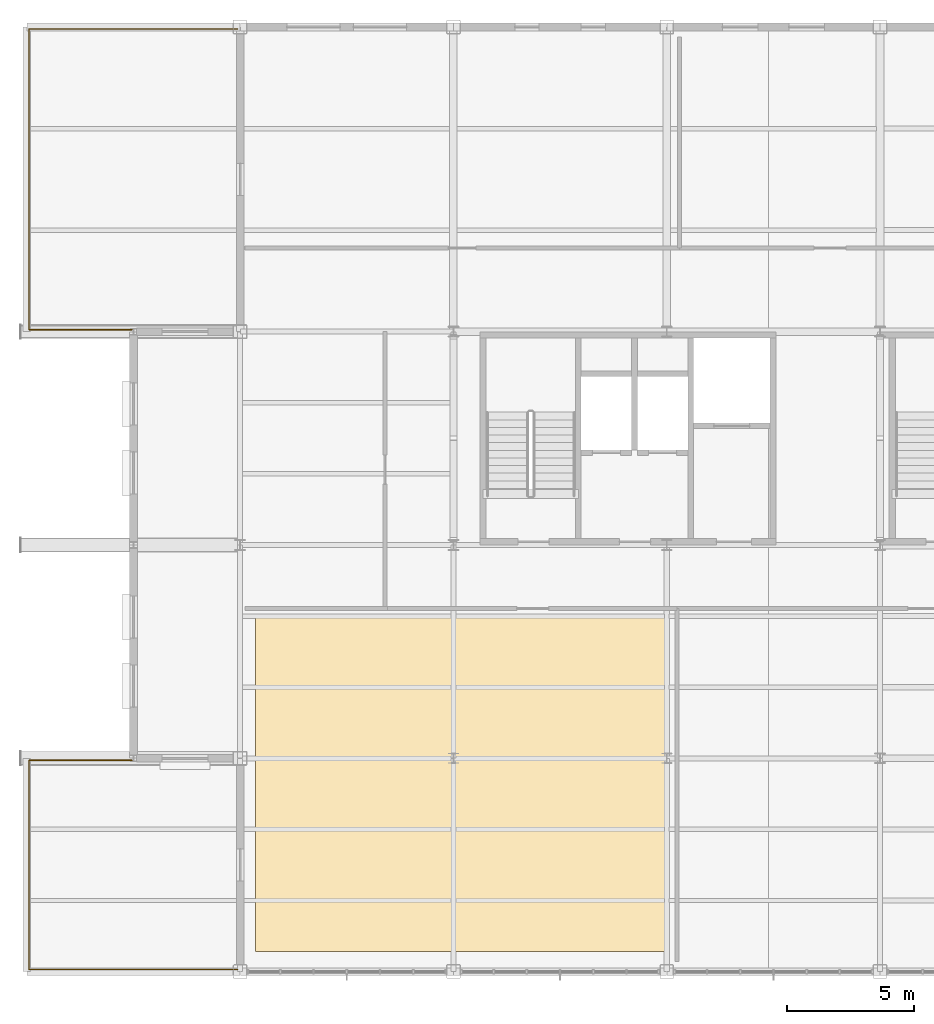
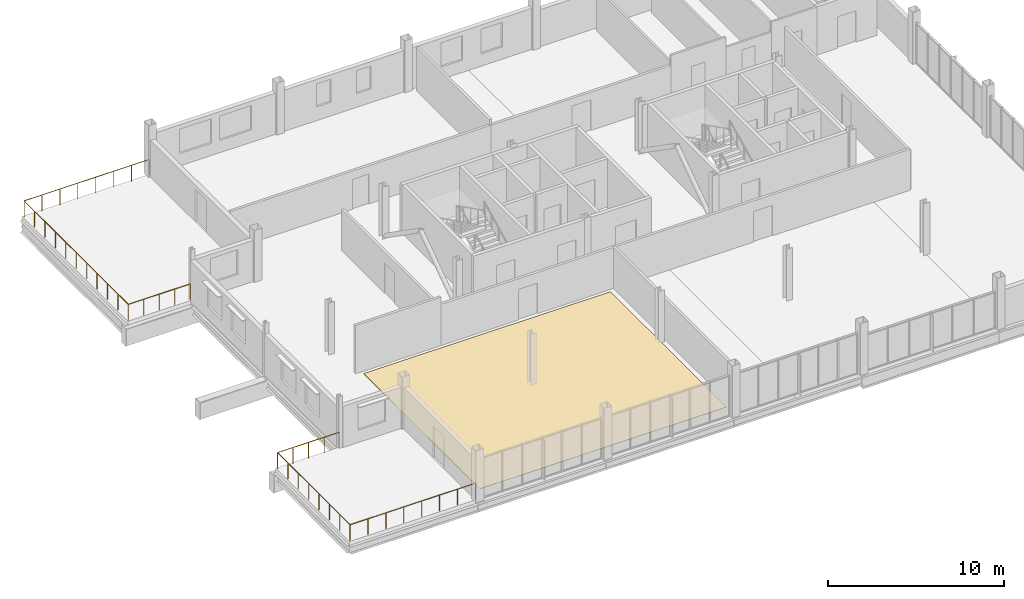
# One storey, part 16 of 18: 2 railings, 1 covering.
"""IFC4 building model written with IfcOpenShell, lengths in metres."""

import ifcopenshell
import ifcopenshell.guid

model = None  # the IFC model being written
_history = None  # IfcOwnerHistory: only IFC2X3 demands one
_inside = {}  # id of a spatial element -> (the spatial element, [elements in it])
_under = {}  # id of a project, library or spatial element -> (it, [spatial elements below it])
_declared = {}  # id of a project -> (the project, [libraries it declares])
_typed = {}  # id of a type object -> (the type object, [elements of that type])
_made_of = {}  # id of a material, layer set ... -> (it, [elements and type objects made of it])


def new_model(schema):
    """Start an empty IFC model of exactly this schema.

    Asked for "IFC4X3", IfcOpenShell would pick the latest addendum, in which some entities
    have other attributes; the version numbers below select the first issue.
    IFC2X3 requires an IfcOwnerHistory on every rooted entity: one is made here for all.
    """
    global model, _history
    if schema == "IFC4X3":
        model = ifcopenshell.file(schema_version=(4, 3, 0, 0))
    else:
        model = ifcopenshell.file(schema=schema)
    _inside.clear()
    _under.clear()
    _declared.clear()
    _typed.clear()
    _made_of.clear()
    _history = None
    if model.schema == "IFC2X3":
        org = make("IfcOrganization", Name="unknown")
        user = make(
            "IfcPersonAndOrganization",
            ThePerson=make("IfcPerson", FamilyName="unknown"),
            TheOrganization=org,
        )
        app = make(
            "IfcApplication",
            ApplicationDeveloper=org,
            Version="unknown",
            ApplicationFullName="unknown",
            ApplicationIdentifier="unknown",
        )
        _history = make(
            "IfcOwnerHistory",
            OwningUser=user,
            OwningApplication=app,
            ChangeAction="ADDED",
            CreationDate=0,
        )
    return model


def make(cls, **values):
    """One entity of the class cls with the attributes given. An attribute that is None is left unset."""
    return model.create_entity(
        cls, **{name: value for name, value in values.items() if value is not None}
    )


def rooted(cls, **values):
    """An entity with a GlobalId (a new one), such as an element, a storey or a relation."""
    return make(cls, GlobalId=ifcopenshell.guid.new(), OwnerHistory=_history, **values)


def si_unit(unit_type, name, prefix=None):
    """IfcSIUnit, for example si_unit("LENGTHUNIT", "METRE", prefix="MILLI")."""
    return make("IfcSIUnit", UnitType=unit_type, Prefix=prefix, Name=name)


def assignment(units):
    """IfcUnitAssignment: the units of a project."""
    return None if units is None else make("IfcUnitAssignment", Units=units)


def point(xyz):
    """IfcCartesianPoint."""
    return None if xyz is None else make("IfcCartesianPoint", Coordinates=xyz)


def direction(xyz):
    """IfcDirection."""
    return None if xyz is None else make("IfcDirection", DirectionRatios=xyz)


def frame(location, z_axis=None, x_axis=None):
    """IfcAxis2Placement3D, a coordinate frame: its origin and axes. An axis left out is left unset."""
    return make(
        "IfcAxis2Placement3D",
        Location=point(location),
        Axis=direction(z_axis),
        RefDirection=direction(x_axis),
    )


def frame_2d(location, x_axis=None):
    """IfcAxis2Placement2D, a coordinate frame in the plane: its origin and x axis."""
    return make(
        "IfcAxis2Placement2D", Location=point(location), RefDirection=direction(x_axis)
    )


def origin():
    """The frame at (0, 0, 0) with its axes left unset."""
    return frame((0.0, 0.0, 0.0))


def origin_2d():
    """The frame at (0, 0) in the plane with its x axis left unset."""
    return frame_2d((0.0, 0.0))


def place(relative_to, where):
    """IfcLocalPlacement: puts the frame where relative to a parent placement (None: the world)."""
    return make(
        "IfcLocalPlacement", PlacementRelTo=relative_to, RelativePlacement=where
    )


def context(
    kind, dimensions, precision=None, world=None, true_north=None, identifier=None
):
    """IfcGeometricRepresentationContext, for example the 3D "Model" context."""
    return make(
        "IfcGeometricRepresentationContext",
        ContextIdentifier=identifier,
        ContextType=kind,
        CoordinateSpaceDimension=dimensions,
        Precision=precision,
        WorldCoordinateSystem=world,
        TrueNorth=true_north,
    )


def subcontext(parent, identifier, kind, view, scale=None):
    """IfcGeometricRepresentationSubContext, for example "Body" below "Model"."""
    return make(
        "IfcGeometricRepresentationSubContext",
        ContextIdentifier=identifier,
        ContextType=kind,
        ParentContext=parent,
        TargetScale=scale,
        TargetView=view,
    )


def project(units=None, contexts=None):
    """IfcProject with its units and contexts."""
    return rooted(
        "IfcProject",
        Name="project",
        RepresentationContexts=contexts,
        UnitsInContext=assignment(units),
    )


def spatial(cls, under=None, at=None, **own):
    """A site, building, storey or space (cls), placed at a placement, below another one or the project."""
    s = rooted(cls, ObjectPlacement=at, **own)
    if under is not None:
        _under.setdefault(under.id(), (under, []))[1].append(s)
    return s


def polyline(points):
    """IfcPolyline through the points."""
    return make("IfcPolyline", Points=[point(p) for p in points])


def profile(cls, at=None, kind="AREA", **sizes):
    """A parametric profile (cls). Its sizes go by their IFC names, for example OverallWidth=200.0."""
    return make(cls, ProfileType=kind, Position=at, **sizes)


def circle(**sizes):
    """IfcCircleProfileDef."""
    return profile("IfcCircleProfileDef", **sizes)


def outline(outer, holes=None, kind="AREA"):
    """IfcArbitraryClosedProfileDef: a profile drawn as a closed curve; with holes, ...WithVoids."""
    if holes is None:
        return make("IfcArbitraryClosedProfileDef", ProfileType=kind, OuterCurve=outer)
    return make(
        "IfcArbitraryProfileDefWithVoids",
        ProfileType=kind,
        OuterCurve=outer,
        InnerCurves=holes,
    )


def extrude(swept, where, along, depth):
    """IfcExtrudedAreaSolid: the profile swept, set in the frame where, extruded along a direction by depth."""
    return make(
        "IfcExtrudedAreaSolid",
        SweptArea=swept,
        Position=where,
        ExtrudedDirection=direction(along),
        Depth=depth,
    )


def shape(context_of_items, identifier, shape_type, items):
    """IfcShapeRepresentation: the items that make up one representation, for example the "Body"."""
    return make(
        "IfcShapeRepresentation",
        ContextOfItems=context_of_items,
        RepresentationIdentifier=identifier,
        RepresentationType=shape_type,
        Items=items,
    )


def material(Name=None, Category=None):
    """IfcMaterial."""
    return make("IfcMaterial", Name=Name, Category=Category)


def layer(
    of_material, thickness, ventilated=None, Name=None, Category=None, Priority=None
):
    """IfcMaterialLayer: one layer of a wall or slab, of a material (None: an air gap)."""
    return make(
        "IfcMaterialLayer",
        Material=of_material,
        LayerThickness=thickness,
        IsVentilated=ventilated,
        Name=Name,
        Category=Category,
        Priority=Priority,
    )


def layer_set(layers, Name=None):
    """IfcMaterialLayerSet."""
    return make("IfcMaterialLayerSet", MaterialLayers=layers, LayerSetName=Name)


def made_of(thing, what):
    """Note that an element or type object is made of a material, layer set ...; save() writes the relation."""
    if what is not None:
        _made_of.setdefault(what.id(), (what, []))[1].append(thing)
    return thing


def type_object(cls, material=None, **own):
    """A type object (cls), such as IfcWallType, which elements share."""
    return made_of(rooted(cls, **own), material)


def element(
    cls,
    number,
    at=None,
    inside=None,
    cuts=None,
    type_object=None,
    material=None,
    context=None,
    identifier="Body",
    shape_type=None,
    held_by="IfcProductDefinitionShape",
    body=None,
    shapes=None,
    **own,
):
    """One element of the class cls, such as IfcWall. Its Tag is "e" and its number.

    at: its placement. inside: the storey or other place that contains it. cuts: it is an
    opening in that element (IfcRelVoidsElement). A single representation is given by context,
    identifier, shape_type and body (its items); several are given by shapes. held_by: the class
    of the entity that holds the representations. save() writes the other relations.
    """
    e = rooted(cls, Tag="e%d" % number, ObjectPlacement=at, **own)
    if body is not None:
        shapes = [shape(context, identifier, shape_type, body)]
    if shapes is not None:
        e.Representation = make(held_by, Representations=shapes)
    if inside is not None:
        _inside.setdefault(inside.id(), (inside, []))[1].append(e)
    if cuts is not None:
        rooted(
            "IfcRelVoidsElement", RelatingBuildingElement=cuts, RelatedOpeningElement=e
        )
    if type_object is not None:
        _typed.setdefault(type_object.id(), (type_object, []))[1].append(e)
    return made_of(e, material)


def aggregate(whole, parts):
    """IfcRelAggregates: a whole, such as a stair, and the parts it consists of."""
    return rooted("IfcRelAggregates", RelatingObject=whole, RelatedObjects=parts)


def save(model, path):
    """Write the relations noted so far, then the file.

    IfcRelAggregates (storeys below a building ...), IfcRelContainedInSpatialStructure (elements
    in a storey), IfcRelDefinesByType, IfcRelAssociatesMaterial and IfcRelDeclares: one each for
    every whole, place, type object, material and project.
    """
    for whole, parts in _under.values():
        aggregate(whole, parts)
    for where, things in _inside.values():
        rooted(
            "IfcRelContainedInSpatialStructure",
            RelatedElements=things,
            RelatingStructure=where,
        )
    for kind, things in _typed.values():
        rooted("IfcRelDefinesByType", RelatedObjects=things, RelatingType=kind)
    for what, things in _made_of.values():
        rooted("IfcRelAssociatesMaterial", RelatedObjects=things, RelatingMaterial=what)
    for by, libraries in _declared.values():
        rooted("IfcRelDeclares", RelatingContext=by, RelatedDefinitions=libraries)
    model.write(path)


model = new_model("IFC4")

# Units and contexts
model_context = context("Model", 3, precision=1e-05, world=origin(), true_north=direction((0.0, 1.0)))
body_context = subcontext(model_context, "Body", "Model", "MODEL_VIEW")
ifc_project = project(units=[si_unit("LENGTHUNIT", "METRE"), si_unit("AREAUNIT", "SQUARE_METRE"), si_unit("VOLUMEUNIT", "CUBIC_METRE"), si_unit("PLANEANGLEUNIT", "RADIAN"), si_unit("MASSUNIT", "GRAM", prefix="KILO")], contexts=[model_context])

# Site, building, storey
site_placement = place(None, origin())
site = spatial("IfcSite", under=ifc_project, at=site_placement, CompositionType="ELEMENT")
building_placement = place(site_placement, origin())
building = spatial("IfcBuilding", under=site, at=building_placement, Name="Yukiwa Park Conservatory and Herbarium", CompositionType="ELEMENT")
storey_placement = place(building_placement, frame((0.0, 0.0, 21.0)))
storey = spatial("IfcBuildingStorey", under=building, at=storey_placement, Name="L05", CompositionType="ELEMENT", Elevation=21.0)

# Covering
ifc_material_1 = material(Name="Anti-Static Laboratory Epoxy Flooring")
ifc_layer_1 = layer(ifc_material_1, 0.02001953125)
ifc_layer_set_1 = layer_set([ifc_layer_1], Name="Anti-Static Laboratory Epoxy Flooring")
covering_type = type_object("IfcCoveringType", Name="COV-FLR-EPOXY", PredefinedType="FLOORING", material=ifc_layer_set_1)
covering_placement = place(storey_placement, origin())
element("IfcCovering", 1, at=covering_placement, inside=storey, type_object=covering_type, Name="L05 finished floor covering FLR-L05-LAB", PredefinedType="FLOORING", context=body_context, shape_type="SweptSolid", body=[
    extrude(outline(polyline([(125.39990234375, 78.800048828125), (141.60009765625, 78.800048828125), (141.60009765625, 92.0), (125.39990234375, 92.0), (125.39990234375, 78.800048828125)])), origin(), (0.0, 0.0, 1.0), 0.02001953125),
])

# Railings
ifc_material_2 = material(Name="Steel Q235B", Category="steel")
ifc_layer_2 = layer(ifc_material_2, 0.06005859375)
ifc_layer_set_2 = layer_set([ifc_layer_2], Name="Steel Q235B")
railing_type = type_object("IfcRailingType", Name="RL-TERRACE-GUARD-1120", PredefinedType="BALUSTRADE", material=ifc_layer_set_2)
railing_1_placement = place(storey_placement, frame((124.699951171875, 78.080078125, 0.0)))
element("IfcRailing", 2, at=railing_1_placement, inside=storey, type_object=railing_type, Name="L05 outdoor terrace guard balustrade RL-TER-L05-SW", PredefinedType="BALUSTRADE", context=body_context, shape_type="SweptSolid", body=[
    extrude(circle(Radius=0.02392578125, at=origin_2d()), frame((0.0, 0.0, 1.09619140625), z_axis=(-1.0, 0.0, 0.0), x_axis=(0.0, -1.0, 0.0)), (0.0, 0.0, 1.0), 8.219970703125),
    extrude(circle(Radius=0.02392578125, at=origin_2d()), frame((-8.219970703125, 0.0, 1.09619140625), z_axis=(0.0, 1.0, 0.0), x_axis=(-1.0, 0.0, 0.0)), (0.0, 0.0, 1.0), 8.239990234375),
    extrude(circle(Radius=0.02392578125, at=origin_2d()), frame((-8.219970703125, 8.239990234375, 1.09619140625), z_axis=(1.0, 0.0, 0.0), x_axis=(0.0, 1.0, 0.0)), (0.0, 0.0, 1.0), 4.070068359375),
    extrude(circle(Radius=0.02099609375, at=origin_2d()), origin(), (0.0, 0.0, 1.0), 1.072021484375),
    extrude(circle(Radius=0.02099609375, at=origin_2d()), frame((-1.17431640625, 0.0, 0.0)), (0.0, 0.0, 1.0), 1.072021484375),
    extrude(circle(Radius=0.02099609375, at=origin_2d()), frame((-2.3486328125, 0.0, 0.0)), (0.0, 0.0, 1.0), 1.072021484375),
    extrude(circle(Radius=0.02099609375, at=origin_2d()), frame((-3.52294921875, 0.0, 0.0)), (0.0, 0.0, 1.0), 1.072021484375),
    extrude(circle(Radius=0.02099609375, at=origin_2d()), frame((-4.697021484375, 0.0, 0.0)), (0.0, 0.0, 1.0), 1.072021484375),
    extrude(circle(Radius=0.02099609375, at=origin_2d()), frame((-5.871337890625, 0.0, 0.0)), (0.0, 0.0, 1.0), 1.072021484375),
    extrude(circle(Radius=0.02099609375, at=origin_2d()), frame((-7.045654296875, 0.0, 0.0)), (0.0, 0.0, 1.0), 1.072021484375),
    extrude(circle(Radius=0.02099609375, at=origin_2d()), frame((-8.219970703125, 0.0, 0.0)), (0.0, 0.0, 1.0), 1.072021484375),
    extrude(circle(Radius=0.02099609375, at=origin_2d()), frame((-8.219970703125, 1.17724609375, 0.0)), (0.0, 0.0, 1.0), 1.072021484375),
    extrude(circle(Radius=0.02099609375, at=origin_2d()), frame((-8.219970703125, 2.354248046875, 0.0)), (0.0, 0.0, 1.0), 1.072021484375),
    extrude(circle(Radius=0.02099609375, at=origin_2d()), frame((-8.219970703125, 3.531494140625, 0.0)), (0.0, 0.0, 1.0), 1.072021484375),
    extrude(circle(Radius=0.02099609375, at=origin_2d()), frame((-8.219970703125, 4.70849609375, 0.0)), (0.0, 0.0, 1.0), 1.072021484375),
    extrude(circle(Radius=0.02099609375, at=origin_2d()), frame((-8.219970703125, 5.8857421875, 0.0)), (0.0, 0.0, 1.0), 1.072021484375),
    extrude(circle(Radius=0.02099609375, at=origin_2d()), frame((-8.219970703125, 7.062744140625, 0.0)), (0.0, 0.0, 1.0), 1.072021484375),
    extrude(circle(Radius=0.02099609375, at=origin_2d()), frame((-8.219970703125, 8.239990234375, 0.0)), (0.0, 0.0, 1.0), 1.072021484375),
    extrude(circle(Radius=0.02099609375, at=origin_2d()), frame((-7.202392578125, 8.239990234375, 0.0)), (0.0, 0.0, 1.0), 1.072021484375),
    extrude(circle(Radius=0.02099609375, at=origin_2d()), frame((-6.18505859375, 8.239990234375, 0.0)), (0.0, 0.0, 1.0), 1.072021484375),
    extrude(circle(Radius=0.02099609375, at=origin_2d()), frame((-5.16748046875, 8.239990234375, 0.0)), (0.0, 0.0, 1.0), 1.072021484375),
    extrude(circle(Radius=0.02099609375, at=origin_2d()), frame((-4.14990234375, 8.239990234375, 0.0)), (0.0, 0.0, 1.0), 1.072021484375),
])
railing_2_placement = place(storey_placement, frame((120.550048828125, 103.280029296875, 0.0)))
element("IfcRailing", 3, at=railing_2_placement, inside=storey, type_object=railing_type, Name="L05 outdoor terrace guard balustrade RL-TER-L05-NW", PredefinedType="BALUSTRADE", context=body_context, shape_type="SweptSolid", body=[
    extrude(circle(Radius=0.02392578125, at=origin_2d()), frame((0.0, 0.0, 1.09619140625), z_axis=(-1.0, 0.0, 0.0), x_axis=(0.0, -1.0, 0.0)), (0.0, 0.0, 1.0), 4.070068359375),
    extrude(circle(Radius=0.02392578125, at=origin_2d()), frame((-4.070068359375, 0.0, 1.09619140625), z_axis=(0.0, 1.0, 0.0), x_axis=(-1.0, 0.0, 0.0)), (0.0, 0.0, 1.0), 11.840087890625),
    extrude(circle(Radius=0.02392578125, at=origin_2d()), frame((-4.070068359375, 11.840087890625, 1.09619140625), z_axis=(1.0, 0.0, 0.0), x_axis=(0.0, 1.0, 0.0)), (0.0, 0.0, 1.0), 8.219970703125),
    extrude(circle(Radius=0.02099609375, at=origin_2d()), origin(), (0.0, 0.0, 1.0), 1.072021484375),
    extrude(circle(Radius=0.02099609375, at=origin_2d()), frame((-1.017578125, 0.0, 0.0)), (0.0, 0.0, 1.0), 1.072021484375),
    extrude(circle(Radius=0.02099609375, at=origin_2d()), frame((-2.03515625, 0.0, 0.0)), (0.0, 0.0, 1.0), 1.072021484375),
    extrude(circle(Radius=0.02099609375, at=origin_2d()), frame((-3.052490234375, 0.0, 0.0)), (0.0, 0.0, 1.0), 1.072021484375),
    extrude(circle(Radius=0.02099609375, at=origin_2d()), frame((-4.070068359375, 0.0, 0.0)), (0.0, 0.0, 1.0), 1.072021484375),
    extrude(circle(Radius=0.02099609375, at=origin_2d()), frame((-4.070068359375, 1.18408203125, 0.0)), (0.0, 0.0, 1.0), 1.072021484375),
    extrude(circle(Radius=0.02099609375, at=origin_2d()), frame((-4.070068359375, 2.367919921875, 0.0)), (0.0, 0.0, 1.0), 1.072021484375),
    extrude(circle(Radius=0.02099609375, at=origin_2d()), frame((-4.070068359375, 3.552001953125, 0.0)), (0.0, 0.0, 1.0), 1.072021484375),
    extrude(circle(Radius=0.02099609375, at=origin_2d()), frame((-4.070068359375, 4.736083984375, 0.0)), (0.0, 0.0, 1.0), 1.072021484375),
    extrude(circle(Radius=0.02099609375, at=origin_2d()), frame((-4.070068359375, 5.919921875, 0.0)), (0.0, 0.0, 1.0), 1.072021484375),
    extrude(circle(Radius=0.02099609375, at=origin_2d()), frame((-4.070068359375, 7.10400390625, 0.0)), (0.0, 0.0, 1.0), 1.072021484375),
    extrude(circle(Radius=0.02099609375, at=origin_2d()), frame((-4.070068359375, 8.2880859375, 0.0)), (0.0, 0.0, 1.0), 1.072021484375),
    extrude(circle(Radius=0.02099609375, at=origin_2d()), frame((-4.070068359375, 9.47216796875, 0.0)), (0.0, 0.0, 1.0), 1.072021484375),
    extrude(circle(Radius=0.02099609375, at=origin_2d()), frame((-4.070068359375, 10.656005859375, 0.0)), (0.0, 0.0, 1.0), 1.072021484375),
    extrude(circle(Radius=0.02099609375, at=origin_2d()), frame((-4.070068359375, 11.840087890625, 0.0)), (0.0, 0.0, 1.0), 1.072021484375),
    extrude(circle(Radius=0.02099609375, at=origin_2d()), frame((-2.895751953125, 11.840087890625, 0.0)), (0.0, 0.0, 1.0), 1.072021484375),
    extrude(circle(Radius=0.02099609375, at=origin_2d()), frame((-1.721435546875, 11.840087890625, 0.0)), (0.0, 0.0, 1.0), 1.072021484375),
    extrude(circle(Radius=0.02099609375, at=origin_2d()), frame((-0.547119140625, 11.840087890625, 0.0)), (0.0, 0.0, 1.0), 1.072021484375),
    extrude(circle(Radius=0.02099609375, at=origin_2d()), frame((0.626953125, 11.840087890625, 0.0)), (0.0, 0.0, 1.0), 1.072021484375),
    extrude(circle(Radius=0.02099609375, at=origin_2d()), frame((1.80126953125, 11.840087890625, 0.0)), (0.0, 0.0, 1.0), 1.072021484375),
    extrude(circle(Radius=0.02099609375, at=origin_2d()), frame((2.9755859375, 11.840087890625, 0.0)), (0.0, 0.0, 1.0), 1.072021484375),
    extrude(circle(Radius=0.02099609375, at=origin_2d()), frame((4.14990234375, 11.840087890625, 0.0)), (0.0, 0.0, 1.0), 1.072021484375),
])

save(model, "model.ifc")
